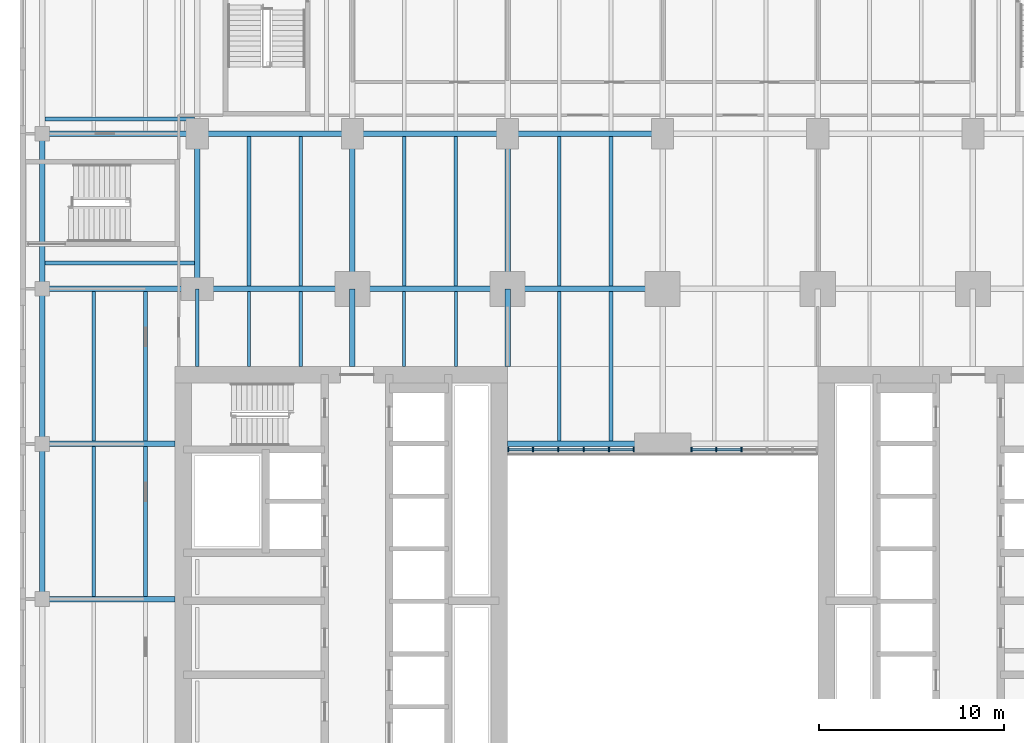
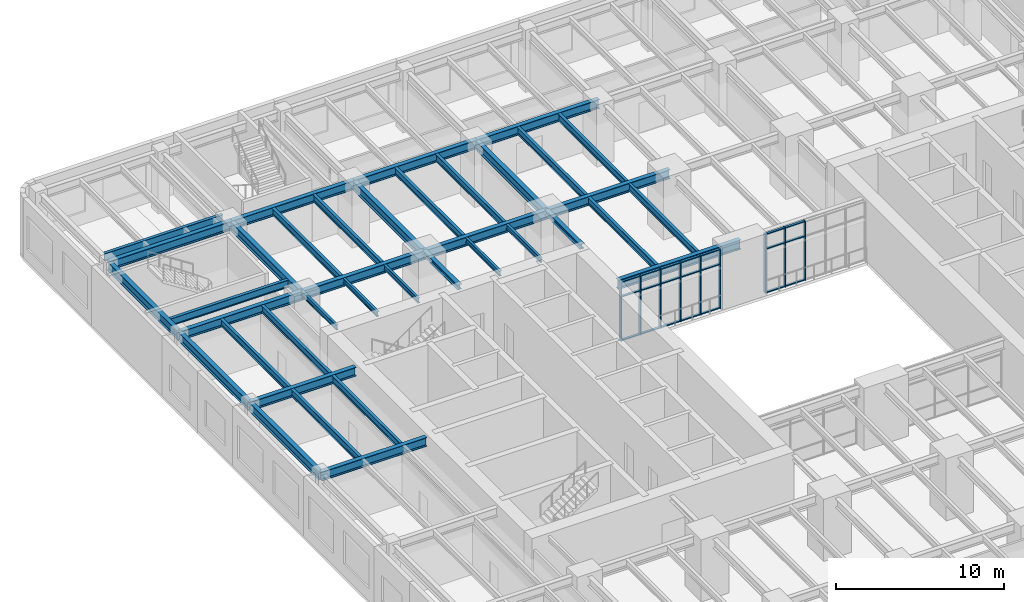
# One storey, part 5 of 26: 38 beams, 30 members, 2 elements without a shape of their own.
"""IFC4 building model written with IfcOpenShell, lengths in metres."""

from ifc_helpers import new_model, si_unit, direction, frame, origin, origin_2d, place, context, subcontext, project, spatial, rectangle, i_section, extrude, material, material_profile, profile_set, type_object, element, aggregate, save


model = new_model("IFC4")

# Units and contexts
model_context = context("Model", 3, precision=1e-05, world=origin(), true_north=direction((0.0, 1.0)))
body_context = subcontext(model_context, "Body", "Model", "MODEL_VIEW")
ifc_project = project(units=[si_unit("LENGTHUNIT", "METRE"), si_unit("AREAUNIT", "SQUARE_METRE"), si_unit("VOLUMEUNIT", "CUBIC_METRE"), si_unit("PLANEANGLEUNIT", "RADIAN"), si_unit("MASSUNIT", "GRAM", prefix="KILO")], contexts=[model_context])

# Site, building, storey
site_placement = place(None, origin())
site = spatial("IfcSite", under=ifc_project, at=site_placement, CompositionType="ELEMENT")
building_placement = place(site_placement, origin())
building = spatial("IfcBuilding", under=site, at=building_placement, Name="Claustro Exchange Tower", CompositionType="ELEMENT")
storey_placement = place(building_placement, frame((0.0, 0.0, 9.89990234375)))
storey = spatial("IfcBuildingStorey", under=building, at=storey_placement, Name="L02", CompositionType="ELEMENT", Elevation=9.89990234375)

# Beams
ifc_material_1 = material(Name="Steel S355", Category="steel")
ifc_material_profile_1 = material_profile(ifc_material_1, i_section(OverallWidth=0.300048828125, OverallDepth=0.68994140625, WebThickness=0.014404296875, FlangeThickness=0.027099609375, FilletRadius=0.027099609375, at=origin_2d()), Name="HE 700 A")
ifc_profile_set_1 = profile_set([ifc_material_profile_1], Name="Steel S355")
beam_type_1 = type_object("IfcBeamType", Name="B13 HE 700 A light well edge girder", PredefinedType="BEAM", material=ifc_profile_set_1)
beam_1_placement = place(storey_placement, frame((16.800048828125, 33.60009765625, 3.955078125), z_axis=(1.0, 0.0, 0.0), x_axis=(0.0, 1.0, 0.0)))
element("IfcBeam", 1, at=beam_1_placement, inside=storey, type_object=beam_type_1, Name="Beam B13 L03", PredefinedType="BEAM", context=body_context, shape_type="SweptSolid", body=[
    extrude(i_section(OverallWidth=0.300048828125, OverallDepth=0.68994140625, WebThickness=0.014404296875, FlangeThickness=0.027099609375, FilletRadius=0.027099609375, at=origin_2d()), origin(), (0.0, 0.0, 1.0), 8.39990234375),
])
ifc_material_2 = material(Name="Steel S355", Category="steel")
ifc_material_profile_2 = material_profile(ifc_material_2, i_section(OverallWidth=0.169921875, OverallDepth=0.360107421875, WebThickness=0.008056640625, FlangeThickness=0.0126953125, FilletRadius=0.01806640625, at=origin_2d()), Name="IPE 360")
ifc_profile_set_2 = profile_set([ifc_material_profile_2], Name="Steel S355")
beam_type_2 = type_object("IfcBeamType", Name="B16 IPE 360 short-span beam", PredefinedType="BEAM", material=ifc_profile_set_2)
beam_2_placement = place(storey_placement, frame((0.0, 37.800048828125, 4.1201171875), z_axis=(0.0, 1.0, 0.0), x_axis=(-1.0, 0.0, 0.0)))
element("IfcBeam", 2, at=beam_2_placement, inside=storey, type_object=beam_type_2, Name="Beam B16 L03", PredefinedType="BEAM", context=body_context, shape_type="SweptSolid", body=[
    extrude(i_section(OverallWidth=0.169921875, OverallDepth=0.360107421875, WebThickness=0.008056640625, FlangeThickness=0.0126953125, FilletRadius=0.01806640625, at=origin_2d()), origin(), (0.0, 0.0, 1.0), 4.199951171875),
])
for number, where, z_axis, x_axis, name in (
    (3, (2.800048828125, 37.7900390625, 4.1201171875), (0.0, 1.0, 0.0), (-1.0, 0.0, 0.0), "Beam B16 L03"),
    (4, (5.60009765625, 37.7900390625, 4.1201171875), (0.0, 1.0, 0.0), (-1.0, 0.0, 0.0), "Beam B16 L03"),
    (5, (11.199951171875, 37.7900390625, 4.1201171875), (0.0, 1.0, 0.0), (-1.0, 0.0, 0.0), "Beam B16 L03"),
    (6, (14.0, 37.7900390625, 4.1201171875), (0.0, 1.0, 0.0), (-1.0, 0.0, 0.0), "Beam B16 L03"),
):
    element("IfcBeam", number, at=place(storey_placement, frame(where, z_axis=z_axis, x_axis=x_axis)), inside=storey, type_object=beam_type_2, Name=name, PredefinedType="BEAM", context=body_context, shape_type="SweptSolid", body=[
        extrude(i_section(OverallWidth=0.169921875, OverallDepth=0.360107421875, WebThickness=0.008056640625, FlangeThickness=0.0126953125, FilletRadius=0.01806640625, at=origin_2d()), origin(), (0.0, 0.0, 1.0), 4.06005859375),
    ])
ifc_material_3 = material(Name="Steel S355", Category="steel")
ifc_material_profile_3 = material_profile(ifc_material_3, i_section(OverallWidth=0.300048828125, OverallDepth=0.64990234375, WebThickness=0.01611328125, FlangeThickness=0.031005859375, FilletRadius=0.027099609375, at=origin_2d()), Name="HE 650 B")
ifc_profile_set_3 = profile_set([ifc_material_profile_3], Name="Steel S355")
beam_type_3 = type_object("IfcBeamType", Name="B1A HE 650 B floor girder", PredefinedType="BEAM", material=ifc_profile_set_3)
beam_3_placement = place(storey_placement, frame((-8.39990234375, 25.199951171875, 3.97509765625), z_axis=(0.0, 1.0, 0.0), x_axis=(-1.0, 0.0, 0.0)))
element("IfcBeam", 7, at=beam_3_placement, inside=storey, type_object=beam_type_3, Name="Beam B1A L03", PredefinedType="BEAM", context=body_context, shape_type="SweptSolid", body=[
    extrude(i_section(OverallWidth=0.300048828125, OverallDepth=0.64990234375, WebThickness=0.01611328125, FlangeThickness=0.031005859375, FilletRadius=0.027099609375, at=origin_2d()), origin(), (0.0, 0.0, 1.0), 8.400146484375),
])
for number, where, z_axis, x_axis, name in (
    (8, (-8.39990234375, 33.60009765625, 3.97509765625), (0.0, 1.0, 0.0), (-1.0, 0.0, 0.0), "Beam B1A L03"),
    (9, (-8.39990234375, 42.0, 3.97509765625), (0.0, 1.0, 0.0), (-1.0, 0.0, 0.0), "Beam B1A L03"),
    (10, (0.0, 42.0, 3.97509765625), (0.0, 1.0, 0.0), (-1.0, 0.0, 0.0), "Beam B1A L03"),
    (11, (8.39990234375, 42.0, 3.97509765625), (0.0, 1.0, 0.0), (-1.0, 0.0, 0.0), "Beam B1A L03"),
    (12, (16.800048828125, 42.0, 3.97509765625), (0.0, 1.0, 0.0), (-1.0, 0.0, 0.0), "Beam B1A L03"),
):
    element("IfcBeam", number, at=place(storey_placement, frame(where, z_axis=z_axis, x_axis=x_axis)), inside=storey, type_object=beam_type_3, Name=name, PredefinedType="BEAM", context=body_context, shape_type="SweptSolid", body=[
        extrude(i_section(OverallWidth=0.300048828125, OverallDepth=0.64990234375, WebThickness=0.01611328125, FlangeThickness=0.031005859375, FilletRadius=0.027099609375, at=origin_2d()), origin(), (0.0, 0.0, 1.0), 8.39990234375),
    ])
for number, where, z_axis, x_axis, name in (
    (13, (-8.39990234375, 25.199951171875, 3.97509765625), (1.0, 0.0, 0.0), (0.0, 1.0, 0.0), "Beam B1A L03"),
    (14, (-8.39990234375, 33.60009765625, 3.97509765625), (1.0, 0.0, 0.0), (0.0, 1.0, 0.0), "Beam B1A L03"),
):
    element("IfcBeam", number, at=place(storey_placement, frame(where, z_axis=z_axis, x_axis=x_axis)), inside=storey, type_object=beam_type_3, Name=name, PredefinedType="BEAM", context=body_context, shape_type="SweptSolid", body=[
        extrude(i_section(OverallWidth=0.300048828125, OverallDepth=0.64990234375, WebThickness=0.01611328125, FlangeThickness=0.031005859375, FilletRadius=0.027099609375, at=origin_2d()), origin(), (0.0, 0.0, 1.0), 7.199951171875),
    ])
for number, where, z_axis, x_axis, name in (
    (15, (-8.39990234375, 42.0, 3.97509765625), (1.0, 0.0, 0.0), (0.0, 1.0, 0.0), "Beam B1A L03"),
    (16, (0.0, 42.0, 3.97509765625), (1.0, 0.0, 0.0), (0.0, 1.0, 0.0), "Beam B1A L03"),
):
    element("IfcBeam", number, at=place(storey_placement, frame(where, z_axis=z_axis, x_axis=x_axis)), inside=storey, type_object=beam_type_3, Name=name, PredefinedType="BEAM", context=body_context, shape_type="SweptSolid", body=[
        extrude(i_section(OverallWidth=0.300048828125, OverallDepth=0.64990234375, WebThickness=0.01611328125, FlangeThickness=0.031005859375, FilletRadius=0.027099609375, at=origin_2d()), origin(), (0.0, 0.0, 1.0), 8.39990234375),
    ])
beam_4_placement = place(storey_placement, frame((8.39990234375, 42.0, 3.97509765625), z_axis=(1.0, 0.0, 0.0), x_axis=(0.0, 1.0, 0.0)))
element("IfcBeam", 17, at=beam_4_placement, inside=storey, type_object=beam_type_3, Name="Beam B1A L03", PredefinedType="BEAM", context=body_context, shape_type="SweptSolid", body=[
    extrude(i_section(OverallWidth=0.300048828125, OverallDepth=0.64990234375, WebThickness=0.01611328125, FlangeThickness=0.031005859375, FilletRadius=0.027099609375, at=origin_2d()), origin(), (0.0, 0.0, 1.0), 8.400146484375),
])
for number, where, z_axis, x_axis, name in (
    (18, (16.800048828125, 42.0, 3.97509765625), (1.0, 0.0, 0.0), (0.0, 1.0, 0.0), "Beam B1A L03"),
    (19, (-8.39990234375, 50.39990234375, 3.97509765625), (1.0, 0.0, 0.0), (0.0, 1.0, 0.0), "Beam B1A L03"),
    (20, (0.0, 50.39990234375, 3.97509765625), (1.0, 0.0, 0.0), (0.0, 1.0, 0.0), "Beam B1A L03"),
):
    element("IfcBeam", number, at=place(storey_placement, frame(where, z_axis=z_axis, x_axis=x_axis)), inside=storey, type_object=beam_type_3, Name=name, PredefinedType="BEAM", context=body_context, shape_type="SweptSolid", body=[
        extrude(i_section(OverallWidth=0.300048828125, OverallDepth=0.64990234375, WebThickness=0.01611328125, FlangeThickness=0.031005859375, FilletRadius=0.027099609375, at=origin_2d()), origin(), (0.0, 0.0, 1.0), 8.39990234375),
    ])
beam_5_placement = place(storey_placement, frame((8.39990234375, 50.39990234375, 3.97509765625), z_axis=(1.0, 0.0, 0.0), x_axis=(0.0, 1.0, 0.0)))
element("IfcBeam", 21, at=beam_5_placement, inside=storey, type_object=beam_type_3, Name="Beam B1A L03", PredefinedType="BEAM", context=body_context, shape_type="SweptSolid", body=[
    extrude(i_section(OverallWidth=0.300048828125, OverallDepth=0.64990234375, WebThickness=0.01611328125, FlangeThickness=0.031005859375, FilletRadius=0.027099609375, at=origin_2d()), origin(), (0.0, 0.0, 1.0), 8.400146484375),
])
beam_6_placement = place(storey_placement, frame((16.800048828125, 50.39990234375, 3.97509765625), z_axis=(1.0, 0.0, 0.0), x_axis=(0.0, 1.0, 0.0)))
element("IfcBeam", 22, at=beam_6_placement, inside=storey, type_object=beam_type_3, Name="Beam B1A L03", PredefinedType="BEAM", context=body_context, shape_type="SweptSolid", body=[
    extrude(i_section(OverallWidth=0.300048828125, OverallDepth=0.64990234375, WebThickness=0.01611328125, FlangeThickness=0.031005859375, FilletRadius=0.027099609375, at=origin_2d()), origin(), (0.0, 0.0, 1.0), 8.39990234375),
])
ifc_material_4 = material(Name="Steel S355", Category="steel")
ifc_material_profile_4 = material_profile(ifc_material_4, i_section(OverallWidth=0.199951171875, OverallDepth=0.5, WebThickness=0.01025390625, FlangeThickness=0.01611328125, FilletRadius=0.02099609375, at=origin_2d()), Name="IPE 500")
ifc_profile_set_4 = profile_set([ifc_material_profile_4], Name="Steel S355")
beam_type_4 = type_object("IfcBeamType", Name="B2 IPE 500 secondary beam", PredefinedType="BEAM", material=ifc_profile_set_4)
for number, where, z_axis, x_axis, name in (
    (23, (-5.60009765625, 25.35009765625, 4.050048828125), (0.0, 1.0, 0.0), (-1.0, 0.0, 0.0), "Beam B2 L03"),
    (24, (-2.800048828125, 25.35009765625, 4.050048828125), (0.0, 1.0, 0.0), (-1.0, 0.0, 0.0), "Beam B2 L03"),
):
    element("IfcBeam", number, at=place(storey_placement, frame(where, z_axis=z_axis, x_axis=x_axis)), inside=storey, type_object=beam_type_4, Name=name, PredefinedType="BEAM", context=body_context, shape_type="SweptSolid", body=[
        extrude(i_section(OverallWidth=0.199951171875, OverallDepth=0.5, WebThickness=0.01025390625, FlangeThickness=0.01611328125, FilletRadius=0.02099609375, at=origin_2d()), origin(), (0.0, 0.0, 1.0), 8.099853515625),
    ])
for number, where, z_axis, x_axis, name in (
    (25, (-5.60009765625, 33.75, 4.050048828125), (0.0, 1.0, 0.0), (-1.0, 0.0, 0.0), "Beam B2 L03"),
    (26, (-2.800048828125, 33.75, 4.050048828125), (0.0, 1.0, 0.0), (-1.0, 0.0, 0.0), "Beam B2 L03"),
    (27, (2.800048828125, 42.14990234375, 4.050048828125), (0.0, 1.0, 0.0), (-1.0, 0.0, 0.0), "Beam B2 L03"),
    (28, (5.60009765625, 42.14990234375, 4.050048828125), (0.0, 1.0, 0.0), (-1.0, 0.0, 0.0), "Beam B2 L03"),
    (29, (11.199951171875, 42.14990234375, 4.050048828125), (0.0, 1.0, 0.0), (-1.0, 0.0, 0.0), "Beam B2 L03"),
    (30, (14.0, 42.14990234375, 4.050048828125), (0.0, 1.0, 0.0), (-1.0, 0.0, 0.0), "Beam B2 L03"),
    (31, (19.60009765625, 33.75, 4.050048828125), (0.0, 1.0, 0.0), (-1.0, 0.0, 0.0), "Beam B2 L03"),
    (32, (22.39990234375, 33.75, 4.050048828125), (0.0, 1.0, 0.0), (-1.0, 0.0, 0.0), "Beam B2 L03"),
    (33, (19.60009765625, 42.14990234375, 4.050048828125), (0.0, 1.0, 0.0), (-1.0, 0.0, 0.0), "Beam B2 L03"),
    (34, (22.39990234375, 42.14990234375, 4.050048828125), (0.0, 1.0, 0.0), (-1.0, 0.0, 0.0), "Beam B2 L03"),
):
    element("IfcBeam", number, at=place(storey_placement, frame(where, z_axis=z_axis, x_axis=x_axis)), inside=storey, type_object=beam_type_4, Name=name, PredefinedType="BEAM", context=body_context, shape_type="SweptSolid", body=[
        extrude(i_section(OverallWidth=0.199951171875, OverallDepth=0.5, WebThickness=0.01025390625, FlangeThickness=0.01611328125, FilletRadius=0.02099609375, at=origin_2d()), origin(), (0.0, 0.0, 1.0), 8.10009765625),
    ])
ifc_material_5 = material(Name="Steel S355", Category="steel")
ifc_material_profile_5 = material_profile(ifc_material_5, i_section(OverallWidth=0.2099609375, OverallDepth=0.550048828125, WebThickness=0.010986328125, FlangeThickness=0.01708984375, FilletRadius=0.02392578125, at=origin_2d()), Name="IPE 550")
ifc_profile_set_5 = profile_set([ifc_material_profile_5], Name="Steel S355")
beam_type_5 = type_object("IfcBeamType", Name="B28 IPE 550 podium stair trimmer", PredefinedType="BEAM", material=ifc_profile_set_5)
for number, where, z_axis, x_axis, name in (
    (35, (-8.25, 43.39990234375, 4.025146484375), (1.0, 0.0, 0.0), (0.0, 1.0, 0.0), "Beam B28 trimmer STP5 L03"),
    (36, (-8.25, 51.199951171875, 4.025146484375), (1.0, 0.0, 0.0), (0.0, 1.0, 0.0), "Beam B28 trimmer STP5 L03"),
):
    element("IfcBeam", number, at=place(storey_placement, frame(where, z_axis=z_axis, x_axis=x_axis)), inside=storey, type_object=beam_type_5, Name=name, PredefinedType="BEAM", context=body_context, shape_type="SweptSolid", body=[
        extrude(i_section(OverallWidth=0.2099609375, OverallDepth=0.550048828125, WebThickness=0.010986328125, FlangeThickness=0.01708984375, FilletRadius=0.02392578125, at=origin_2d()), origin(), (0.0, 0.0, 1.0), 8.10009765625),
    ])
ifc_material_6 = material(Name="Steel S355", Category="steel")
ifc_material_profile_6 = material_profile(ifc_material_6, i_section(OverallWidth=0.300048828125, OverallDepth=0.360107421875, WebThickness=0.012451171875, FlangeThickness=0.0224609375, FilletRadius=0.027099609375, at=origin_2d()), Name="HE 360 B")
ifc_profile_set_6 = profile_set([ifc_material_profile_6], Name="Steel S355")
beam_type_6 = type_object("IfcBeamType", Name="B29 HE 360 B column to core link beam", PredefinedType="BEAM", material=ifc_profile_set_6)
for number, where, z_axis, x_axis, name in (
    (37, (8.39990234375, 37.800048828125, 4.1201171875), (0.0, 1.0, 0.0), (-1.0, 0.0, 0.0), "Beam B29 L03"),
    (38, (16.800048828125, 37.800048828125, 4.1201171875), (0.0, 1.0, 0.0), (-1.0, 0.0, 0.0), "Beam B29 L03"),
):
    element("IfcBeam", number, at=place(storey_placement, frame(where, z_axis=z_axis, x_axis=x_axis)), inside=storey, type_object=beam_type_6, Name=name, PredefinedType="BEAM", context=body_context, shape_type="SweptSolid", body=[
        extrude(i_section(OverallWidth=0.300048828125, OverallDepth=0.360107421875, WebThickness=0.012451171875, FlangeThickness=0.0224609375, FilletRadius=0.027099609375, at=origin_2d()), origin(), (0.0, 0.0, 1.0), 4.199951171875),
    ])

# Curtain wall, members
ifc_material_7 = material(Name="Aluminium frame, clear double glazing", Category="aluminium")
curtain_wall_type = type_object("IfcCurtainWallType", Name="CW6 sky lobby and conference curtain wall", PredefinedType="USERDEFINED", material=ifc_material_7)
curtain_wall_1_placement = place(storey_placement, origin())
curtain_wall_1 = element("IfcCurtainWall", 39, at=curtain_wall_1_placement, inside=storey, type_object=curtain_wall_type, Name="Curtain wall CW6 L02", ObjectType="STICK CURTAIN WALL", PredefinedType="USERDEFINED")
ifc_material_8 = material(Name="Aluminium mullion", Category="aluminium")
ifc_material_profile_7 = material_profile(ifc_material_8, rectangle(XDim=0.25, YDim=0.070068359375, at=origin_2d()), Name="CW6-M 70x250")
ifc_profile_set_7 = profile_set([ifc_material_profile_7], Name="Aluminium mullion")
member_type_1 = type_object("IfcMemberType", Name="CW6-M 70 x 250 mullion", PredefinedType="MULLION", material=ifc_profile_set_7)
member_1_placement = place(storey_placement, frame((16.8349609375, 33.300048828125, 0.0), z_axis=(0.0, 0.0, 1.0), x_axis=(0.0, 1.0, 0.0)))
member_1 = element("IfcMember", 40, at=member_1_placement, type_object=member_type_1, Name="CW6 mullion 1", PredefinedType="MULLION", context=body_context, shape_type="SweptSolid", body=[
    extrude(rectangle(XDim=0.25, YDim=0.070068359375, at=origin_2d()), origin(), (0.0, 0.0, 1.0), 4.300048828125),
])
member_2_placement = place(storey_placement, frame((18.175048828125, 33.300048828125, 0.0), z_axis=(0.0, 0.0, 1.0), x_axis=(0.0, 1.0, 0.0)))
member_2 = element("IfcMember", 41, at=member_2_placement, type_object=member_type_1, Name="CW6 mullion 2", PredefinedType="MULLION", context=body_context, shape_type="SweptSolid", body=[
    extrude(rectangle(XDim=0.25, YDim=0.070068359375, at=origin_2d()), origin(), (0.0, 0.0, 1.0), 4.300048828125),
])
member_3_placement = place(storey_placement, frame((19.550048828125, 33.300048828125, 0.0), z_axis=(0.0, 0.0, 1.0), x_axis=(0.0, 1.0, 0.0)))
member_3 = element("IfcMember", 42, at=member_3_placement, type_object=member_type_1, Name="CW6 mullion 3", PredefinedType="MULLION", context=body_context, shape_type="SweptSolid", body=[
    extrude(rectangle(XDim=0.25, YDim=0.070068359375, at=origin_2d()), origin(), (0.0, 0.0, 1.0), 4.300048828125),
])
member_4_placement = place(storey_placement, frame((20.925048828125, 33.300048828125, 0.0), z_axis=(0.0, 0.0, 1.0), x_axis=(0.0, 1.0, 0.0)))
member_4 = element("IfcMember", 43, at=member_4_placement, type_object=member_type_1, Name="CW6 mullion 4", PredefinedType="MULLION", context=body_context, shape_type="SweptSolid", body=[
    extrude(rectangle(XDim=0.25, YDim=0.070068359375, at=origin_2d()), origin(), (0.0, 0.0, 1.0), 4.300048828125),
])
member_5_placement = place(storey_placement, frame((22.300048828125, 33.300048828125, 0.0), z_axis=(0.0, 0.0, 1.0), x_axis=(0.0, 1.0, 0.0)))
member_5 = element("IfcMember", 44, at=member_5_placement, type_object=member_type_1, Name="CW6 mullion 5", PredefinedType="MULLION", context=body_context, shape_type="SweptSolid", body=[
    extrude(rectangle(XDim=0.25, YDim=0.070068359375, at=origin_2d()), origin(), (0.0, 0.0, 1.0), 4.300048828125),
])
member_6_placement = place(storey_placement, frame((23.639892578125, 33.300048828125, 0.0), z_axis=(0.0, 0.0, 1.0), x_axis=(0.0, 1.0, 0.0)))
member_6 = element("IfcMember", 45, at=member_6_placement, type_object=member_type_1, Name="CW6 mullion 6", PredefinedType="MULLION", context=body_context, shape_type="SweptSolid", body=[
    extrude(rectangle(XDim=0.25, YDim=0.070068359375, at=origin_2d()), origin(), (0.0, 0.0, 1.0), 4.300048828125),
])

curtain_wall_2_placement = place(storey_placement, origin())
curtain_wall_2 = element("IfcCurtainWall", 46, at=curtain_wall_2_placement, inside=storey, type_object=curtain_wall_type, Name="Curtain wall CW6 L02", ObjectType="STICK CURTAIN WALL", PredefinedType="USERDEFINED")
member_7_placement = place(storey_placement, frame((26.760009765625, 33.300048828125, 0.0), z_axis=(0.0, 0.0, 1.0), x_axis=(0.0, 1.0, 0.0)))
member_7 = element("IfcMember", 47, at=member_7_placement, type_object=member_type_1, Name="CW6 mullion 1", PredefinedType="MULLION", context=body_context, shape_type="SweptSolid", body=[
    extrude(rectangle(XDim=0.25, YDim=0.070068359375, at=origin_2d()), origin(), (0.0, 0.0, 1.0), 4.300048828125),
])
member_8_placement = place(storey_placement, frame((28.10009765625, 33.300048828125, 0.0), z_axis=(0.0, 0.0, 1.0), x_axis=(0.0, 1.0, 0.0)))
member_8 = element("IfcMember", 48, at=member_8_placement, type_object=member_type_1, Name="CW6 mullion 2", PredefinedType="MULLION", context=body_context, shape_type="SweptSolid", body=[
    extrude(rectangle(XDim=0.25, YDim=0.070068359375, at=origin_2d()), origin(), (0.0, 0.0, 1.0), 4.300048828125),
])
member_9_placement = place(storey_placement, frame((29.47509765625, 33.300048828125, 0.0), z_axis=(0.0, 0.0, 1.0), x_axis=(0.0, 1.0, 0.0)))
member_9 = element("IfcMember", 49, at=member_9_placement, type_object=member_type_1, Name="CW6 mullion 3", PredefinedType="MULLION", context=body_context, shape_type="SweptSolid", body=[
    extrude(rectangle(XDim=0.25, YDim=0.070068359375, at=origin_2d()), origin(), (0.0, 0.0, 1.0), 4.300048828125),
])

# Member
ifc_material_9 = material(Name="Aluminium transom", Category="aluminium")
ifc_material_profile_8 = material_profile(ifc_material_9, rectangle(XDim=0.159912109375, YDim=0.070068359375, at=origin_2d()), Name="CW6-T 70x160")
ifc_profile_set_8 = profile_set([ifc_material_profile_8], Name="Aluminium transom")
member_type_2 = type_object("IfcMemberType", Name="CW6-T 70 x 160 transom", PredefinedType="USERDEFINED", material=ifc_profile_set_8)
member_10_placement = place(storey_placement, frame((16.8701171875, 33.300048828125, 0.03515625), z_axis=(1.0, 0.0, 0.0), x_axis=(0.0, 1.0, 0.0)))
member_10 = element("IfcMember", 50, at=member_10_placement, type_object=member_type_2, Name="CW6 transom 1.1", ObjectType="TRANSOM", PredefinedType="USERDEFINED", context=body_context, shape_type="SweptSolid", body=[
    extrude(rectangle(XDim=0.159912109375, YDim=0.070068359375, at=origin_2d()), origin(), (0.0, 0.0, 1.0), 1.269775390625),
])

member_11_placement = place(storey_placement, frame((16.8701171875, 33.300048828125, 3.2001953125), z_axis=(1.0, 0.0, 0.0), x_axis=(0.0, 1.0, 0.0)))
member_11 = element("IfcMember", 51, at=member_11_placement, type_object=member_type_2, Name="CW6 transom 1.2", ObjectType="TRANSOM", PredefinedType="USERDEFINED", context=body_context, shape_type="SweptSolid", body=[
    extrude(rectangle(XDim=0.159912109375, YDim=0.070068359375, at=origin_2d()), origin(), (0.0, 0.0, 1.0), 1.269775390625),
])

member_12_placement = place(storey_placement, frame((16.8701171875, 33.300048828125, 4.26513671875), z_axis=(1.0, 0.0, 0.0), x_axis=(0.0, 1.0, 0.0)))
member_12 = element("IfcMember", 52, at=member_12_placement, type_object=member_type_2, Name="CW6 transom 1.3", ObjectType="TRANSOM", PredefinedType="USERDEFINED", context=body_context, shape_type="SweptSolid", body=[
    extrude(rectangle(XDim=0.159912109375, YDim=0.070068359375, at=origin_2d()), origin(), (0.0, 0.0, 1.0), 1.269775390625),
])

member_13_placement = place(storey_placement, frame((18.2099609375, 33.300048828125, 0.03515625), z_axis=(1.0, 0.0, 0.0), x_axis=(0.0, 1.0, 0.0)))
member_13 = element("IfcMember", 53, at=member_13_placement, type_object=member_type_2, Name="CW6 transom 2.1", ObjectType="TRANSOM", PredefinedType="USERDEFINED", context=body_context, shape_type="SweptSolid", body=[
    extrude(rectangle(XDim=0.159912109375, YDim=0.070068359375, at=origin_2d()), origin(), (0.0, 0.0, 1.0), 1.304931640625),
])

member_14_placement = place(storey_placement, frame((18.2099609375, 33.300048828125, 3.2001953125), z_axis=(1.0, 0.0, 0.0), x_axis=(0.0, 1.0, 0.0)))
member_14 = element("IfcMember", 54, at=member_14_placement, type_object=member_type_2, Name="CW6 transom 2.2", ObjectType="TRANSOM", PredefinedType="USERDEFINED", context=body_context, shape_type="SweptSolid", body=[
    extrude(rectangle(XDim=0.159912109375, YDim=0.070068359375, at=origin_2d()), origin(), (0.0, 0.0, 1.0), 1.304931640625),
])

member_15_placement = place(storey_placement, frame((18.2099609375, 33.300048828125, 4.26513671875), z_axis=(1.0, 0.0, 0.0), x_axis=(0.0, 1.0, 0.0)))
member_15 = element("IfcMember", 55, at=member_15_placement, type_object=member_type_2, Name="CW6 transom 2.3", ObjectType="TRANSOM", PredefinedType="USERDEFINED", context=body_context, shape_type="SweptSolid", body=[
    extrude(rectangle(XDim=0.159912109375, YDim=0.070068359375, at=origin_2d()), origin(), (0.0, 0.0, 1.0), 1.304931640625),
])

member_16_placement = place(storey_placement, frame((19.5849609375, 33.300048828125, 0.03515625), z_axis=(1.0, 0.0, 0.0), x_axis=(0.0, 1.0, 0.0)))
member_16 = element("IfcMember", 56, at=member_16_placement, type_object=member_type_2, Name="CW6 transom 3.1", ObjectType="TRANSOM", PredefinedType="USERDEFINED", context=body_context, shape_type="SweptSolid", body=[
    extrude(rectangle(XDim=0.159912109375, YDim=0.070068359375, at=origin_2d()), origin(), (0.0, 0.0, 1.0), 1.304931640625),
])

member_17_placement = place(storey_placement, frame((19.5849609375, 33.300048828125, 3.2001953125), z_axis=(1.0, 0.0, 0.0), x_axis=(0.0, 1.0, 0.0)))
member_17 = element("IfcMember", 57, at=member_17_placement, type_object=member_type_2, Name="CW6 transom 3.2", ObjectType="TRANSOM", PredefinedType="USERDEFINED", context=body_context, shape_type="SweptSolid", body=[
    extrude(rectangle(XDim=0.159912109375, YDim=0.070068359375, at=origin_2d()), origin(), (0.0, 0.0, 1.0), 1.304931640625),
])

member_18_placement = place(storey_placement, frame((19.5849609375, 33.300048828125, 4.26513671875), z_axis=(1.0, 0.0, 0.0), x_axis=(0.0, 1.0, 0.0)))
member_18 = element("IfcMember", 58, at=member_18_placement, type_object=member_type_2, Name="CW6 transom 3.3", ObjectType="TRANSOM", PredefinedType="USERDEFINED", context=body_context, shape_type="SweptSolid", body=[
    extrude(rectangle(XDim=0.159912109375, YDim=0.070068359375, at=origin_2d()), origin(), (0.0, 0.0, 1.0), 1.304931640625),
])

member_19_placement = place(storey_placement, frame((20.9599609375, 33.300048828125, 0.03515625), z_axis=(1.0, 0.0, 0.0), x_axis=(0.0, 1.0, 0.0)))
member_19 = element("IfcMember", 59, at=member_19_placement, type_object=member_type_2, Name="CW6 transom 4.1", ObjectType="TRANSOM", PredefinedType="USERDEFINED", context=body_context, shape_type="SweptSolid", body=[
    extrude(rectangle(XDim=0.159912109375, YDim=0.070068359375, at=origin_2d()), origin(), (0.0, 0.0, 1.0), 1.304931640625),
])

member_20_placement = place(storey_placement, frame((20.9599609375, 33.300048828125, 3.2001953125), z_axis=(1.0, 0.0, 0.0), x_axis=(0.0, 1.0, 0.0)))
member_20 = element("IfcMember", 60, at=member_20_placement, type_object=member_type_2, Name="CW6 transom 4.2", ObjectType="TRANSOM", PredefinedType="USERDEFINED", context=body_context, shape_type="SweptSolid", body=[
    extrude(rectangle(XDim=0.159912109375, YDim=0.070068359375, at=origin_2d()), origin(), (0.0, 0.0, 1.0), 1.304931640625),
])

member_21_placement = place(storey_placement, frame((20.9599609375, 33.300048828125, 4.26513671875), z_axis=(1.0, 0.0, 0.0), x_axis=(0.0, 1.0, 0.0)))
member_21 = element("IfcMember", 61, at=member_21_placement, type_object=member_type_2, Name="CW6 transom 4.3", ObjectType="TRANSOM", PredefinedType="USERDEFINED", context=body_context, shape_type="SweptSolid", body=[
    extrude(rectangle(XDim=0.159912109375, YDim=0.070068359375, at=origin_2d()), origin(), (0.0, 0.0, 1.0), 1.304931640625),
])

member_22_placement = place(storey_placement, frame((22.3349609375, 33.300048828125, 0.03515625), z_axis=(1.0, 0.0, 0.0), x_axis=(0.0, 1.0, 0.0)))
member_22 = element("IfcMember", 62, at=member_22_placement, type_object=member_type_2, Name="CW6 transom 5.1", ObjectType="TRANSOM", PredefinedType="USERDEFINED", context=body_context, shape_type="SweptSolid", body=[
    extrude(rectangle(XDim=0.159912109375, YDim=0.070068359375, at=origin_2d()), origin(), (0.0, 0.0, 1.0), 1.27001953125),
])

member_23_placement = place(storey_placement, frame((22.3349609375, 33.300048828125, 3.2001953125), z_axis=(1.0, 0.0, 0.0), x_axis=(0.0, 1.0, 0.0)))
member_23 = element("IfcMember", 63, at=member_23_placement, type_object=member_type_2, Name="CW6 transom 5.2", ObjectType="TRANSOM", PredefinedType="USERDEFINED", context=body_context, shape_type="SweptSolid", body=[
    extrude(rectangle(XDim=0.159912109375, YDim=0.070068359375, at=origin_2d()), origin(), (0.0, 0.0, 1.0), 1.27001953125),
])

member_24_placement = place(storey_placement, frame((22.3349609375, 33.300048828125, 4.26513671875), z_axis=(1.0, 0.0, 0.0), x_axis=(0.0, 1.0, 0.0)))
member_24 = element("IfcMember", 64, at=member_24_placement, type_object=member_type_2, Name="CW6 transom 5.3", ObjectType="TRANSOM", PredefinedType="USERDEFINED", context=body_context, shape_type="SweptSolid", body=[
    extrude(rectangle(XDim=0.159912109375, YDim=0.070068359375, at=origin_2d()), origin(), (0.0, 0.0, 1.0), 1.27001953125),
])

aggregate(curtain_wall_1, [member_1, member_2, member_3, member_4, member_5, member_6, member_10, member_11, member_12, member_13, member_14, member_15, member_16, member_17, member_18, member_19, member_20, member_21, member_22, member_23, member_24])

member_25_placement = place(storey_placement, frame((26.794921875, 33.300048828125, 0.03515625), z_axis=(1.0, 0.0, 0.0), x_axis=(0.0, 1.0, 0.0)))
member_25 = element("IfcMember", 65, at=member_25_placement, type_object=member_type_2, Name="CW6 transom 1.1", ObjectType="TRANSOM", PredefinedType="USERDEFINED", context=body_context, shape_type="SweptSolid", body=[
    extrude(rectangle(XDim=0.159912109375, YDim=0.070068359375, at=origin_2d()), origin(), (0.0, 0.0, 1.0), 1.27001953125),
])

member_26_placement = place(storey_placement, frame((26.794921875, 33.300048828125, 3.2001953125), z_axis=(1.0, 0.0, 0.0), x_axis=(0.0, 1.0, 0.0)))
member_26 = element("IfcMember", 66, at=member_26_placement, type_object=member_type_2, Name="CW6 transom 1.2", ObjectType="TRANSOM", PredefinedType="USERDEFINED", context=body_context, shape_type="SweptSolid", body=[
    extrude(rectangle(XDim=0.159912109375, YDim=0.070068359375, at=origin_2d()), origin(), (0.0, 0.0, 1.0), 1.27001953125),
])

member_27_placement = place(storey_placement, frame((26.794921875, 33.300048828125, 4.26513671875), z_axis=(1.0, 0.0, 0.0), x_axis=(0.0, 1.0, 0.0)))
member_27 = element("IfcMember", 67, at=member_27_placement, type_object=member_type_2, Name="CW6 transom 1.3", ObjectType="TRANSOM", PredefinedType="USERDEFINED", context=body_context, shape_type="SweptSolid", body=[
    extrude(rectangle(XDim=0.159912109375, YDim=0.070068359375, at=origin_2d()), origin(), (0.0, 0.0, 1.0), 1.27001953125),
])

member_28_placement = place(storey_placement, frame((28.135009765625, 33.300048828125, 0.03515625), z_axis=(1.0, 0.0, 0.0), x_axis=(0.0, 1.0, 0.0)))
member_28 = element("IfcMember", 68, at=member_28_placement, type_object=member_type_2, Name="CW6 transom 2.1", ObjectType="TRANSOM", PredefinedType="USERDEFINED", context=body_context, shape_type="SweptSolid", body=[
    extrude(rectangle(XDim=0.159912109375, YDim=0.070068359375, at=origin_2d()), origin(), (0.0, 0.0, 1.0), 1.304931640625),
])

member_29_placement = place(storey_placement, frame((28.135009765625, 33.300048828125, 3.2001953125), z_axis=(1.0, 0.0, 0.0), x_axis=(0.0, 1.0, 0.0)))
member_29 = element("IfcMember", 69, at=member_29_placement, type_object=member_type_2, Name="CW6 transom 2.2", ObjectType="TRANSOM", PredefinedType="USERDEFINED", context=body_context, shape_type="SweptSolid", body=[
    extrude(rectangle(XDim=0.159912109375, YDim=0.070068359375, at=origin_2d()), origin(), (0.0, 0.0, 1.0), 1.304931640625),
])

member_30_placement = place(storey_placement, frame((28.135009765625, 33.300048828125, 4.26513671875), z_axis=(1.0, 0.0, 0.0), x_axis=(0.0, 1.0, 0.0)))
member_30 = element("IfcMember", 70, at=member_30_placement, type_object=member_type_2, Name="CW6 transom 2.3", ObjectType="TRANSOM", PredefinedType="USERDEFINED", context=body_context, shape_type="SweptSolid", body=[
    extrude(rectangle(XDim=0.159912109375, YDim=0.070068359375, at=origin_2d()), origin(), (0.0, 0.0, 1.0), 1.304931640625),
])

aggregate(curtain_wall_2, [member_7, member_8, member_9, member_25, member_26, member_27, member_28, member_29, member_30])

save(model, "model.ifc")
